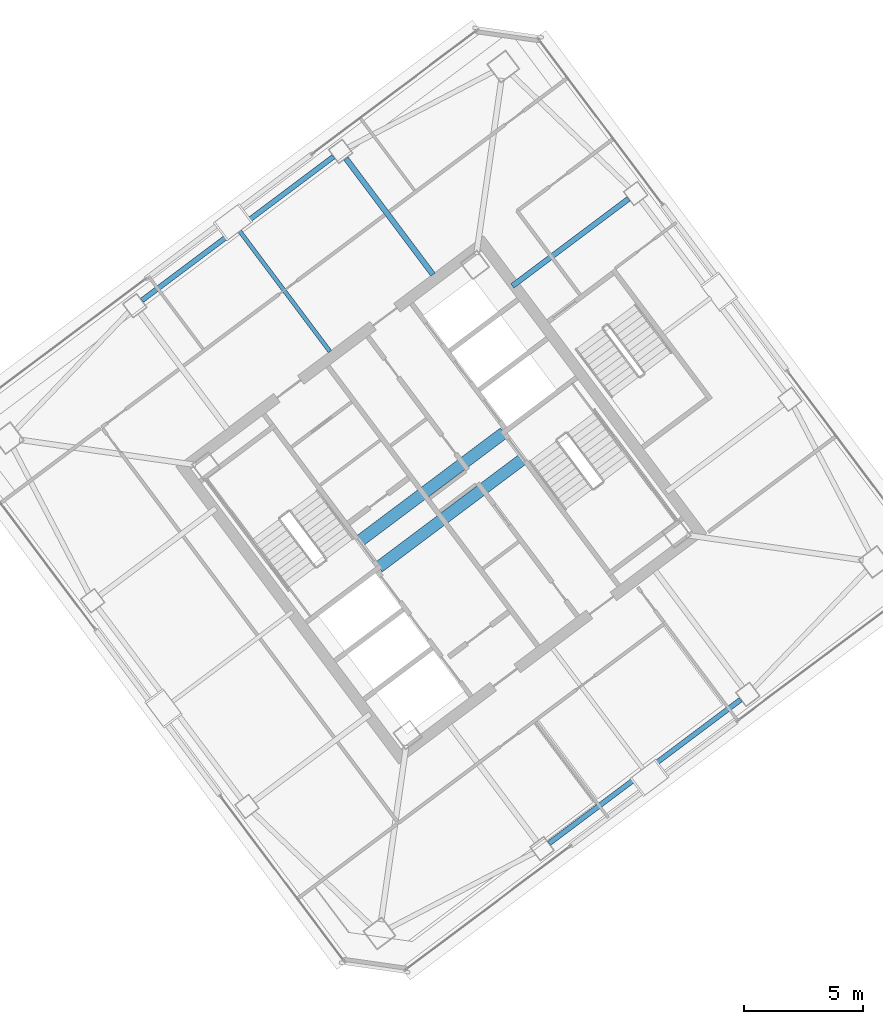
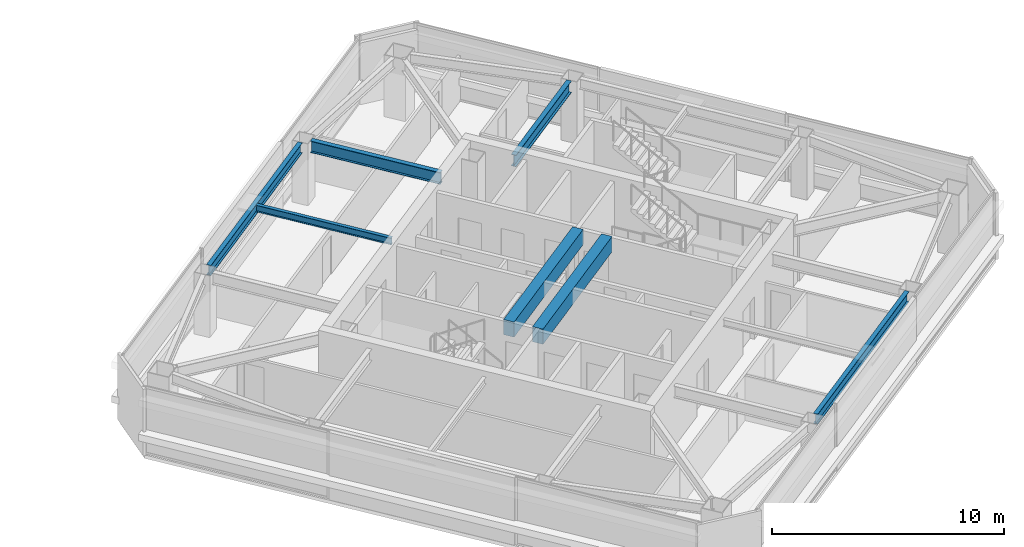
# One storey, part 22 of 39: 7 beams.
"""IFC4 building model written with IfcOpenShell, lengths in metres."""

from ifc_helpers import new_model, si_unit, direction, frame, origin, origin_2d, place, context, subcontext, project, spatial, rectangle, i_section, extrude, material, material_profile, profile_set, type_object, element, save


model = new_model("IFC4")

# Units and contexts
model_context = context("Model", 3, precision=1e-05, world=origin(), true_north=direction((0.0, 1.0)))
body_context = subcontext(model_context, "Body", "Model", "MODEL_VIEW")
ifc_project = project(units=[si_unit("LENGTHUNIT", "METRE"), si_unit("AREAUNIT", "SQUARE_METRE"), si_unit("VOLUMEUNIT", "CUBIC_METRE"), si_unit("PLANEANGLEUNIT", "RADIAN"), si_unit("MASSUNIT", "GRAM", prefix="KILO")], contexts=[model_context])

# Site, building, storey
site_placement = place(None, origin())
site = spatial("IfcSite", under=ifc_project, at=site_placement, CompositionType="ELEMENT")
building_placement = place(site_placement, origin())
building = spatial("IfcBuilding", under=site, at=building_placement, Name="Tashvorn Skyway Center", CompositionType="ELEMENT")
storey_placement = place(building_placement, frame((0.0, 0.0, 243.25)))
storey = spatial("IfcBuildingStorey", under=building, at=storey_placement, Name="L66", CompositionType="ELEMENT", Elevation=243.25)

# Beams
ifc_material_1 = material(Name="Steel ASTM A992 Grade 50", Category="steel")
ifc_material_profile_1 = material_profile(ifc_material_1, i_section(OverallWidth=0.22998046875, OverallDepth=0.616943359375, WebThickness=0.01318359375, FlangeThickness=0.022216796875, at=origin_2d()), Name="W24X94")
ifc_profile_set_1 = profile_set([ifc_material_profile_1], Name="Steel ASTM A992 Grade 50")
beam_type_1 = type_object("IfcBeamType", Name="BM-BEAM-W24X94", PredefinedType="BEAM", material=ifc_profile_set_1)
for number, where, z_axis, x_axis, name in (
    (1, (121.864013671875, 44.64794921875, 2.94140625), (-0.800014407953, -0.599980788915, 0.0), (0.599980788915, -0.800014407953, 0.0), "Tower 2 L66 Primary Floor Girder FC-E2"),
    (2, (109.991943359375, 46.343994140625, 2.94140625), (0.600025614447, -0.799980788524, 0.0), (0.799980788524, 0.600025614447, 0.0), "Tower 2 L66 Primary Floor Girder FC-N1"),
):
    element("IfcBeam", number, at=place(storey_placement, frame(where, z_axis=z_axis, x_axis=x_axis)), inside=storey, type_object=beam_type_1, Name=name, PredefinedType="BEAM", context=body_context, shape_type="SweptSolid", body=[
        extrude(i_section(OverallWidth=0.22998046875, OverallDepth=0.616943359375, WebThickness=0.01318359375, FlangeThickness=0.022216796875, at=origin_2d()), origin(), (0.0, 0.0, 1.0), 6.10009765625),
    ])
ifc_material_profile_2 = material_profile(ifc_material_1, i_section(OverallWidth=0.1708984375, OverallDepth=0.35498046875, WebThickness=0.007080078125, FlangeThickness=0.01171875, at=origin_2d()), Name="W14X34")
ifc_profile_set_2 = profile_set([ifc_material_profile_2], Name="Steel ASTM A992 Grade 50")
beam_type_2 = type_object("IfcBeamType", Name="BM-JOIST-W14X34", PredefinedType="JOIST", material=ifc_profile_set_2)
beam_placement = place(storey_placement, frame((109.325927734375, 38.23193359375, 3.072509765625), z_axis=(-0.599981581373, 0.800013813639, 0.0), x_axis=(-0.800013813639, -0.599981581373, 0.0)))
element("IfcBeam", 3, at=beam_placement, inside=storey, type_object=beam_type_2, Name="Tower 2 L66 Secondary Composite Joist JN", PredefinedType="JOIST", context=body_context, shape_type="SweptSolid", body=[
    extrude(i_section(OverallWidth=0.1708984375, OverallDepth=0.35498046875, WebThickness=0.007080078125, FlangeThickness=0.01171875, at=origin_2d()), origin(), (0.0, 0.0, 1.0), 6.362548828125),
])
ifc_material_2 = material(Name="Concrete C50/60", Category="concrete")
ifc_material_profile_3 = material_profile(ifc_material_2, rectangle(XDim=0.5, YDim=0.800048828125, at=origin_2d()), Name="RCB500x800")
ifc_profile_set_3 = profile_set([ifc_material_profile_3], Name="Concrete C50/60")
beam_type_3 = type_object("IfcBeamType", Name="BM-LINTEL-RCB500x800", PredefinedType="LINTEL", material=ifc_profile_set_3)
for number, where, z_axis, x_axis, name in (
    (4, (110.552001953125, 30.263916015625, 2.85009765625), (0.8, 0.6, 0.0), (-0.6, 0.8, 0.0), "Tower 2 L66 Core Coupling Beam CN"),
    (5, (111.367919921875, 29.176025390625, 2.85009765625), (0.8, 0.6, 0.0), (-0.6, 0.8, 0.0), "Tower 2 L66 Core Coupling Beam CS"),
):
    element("IfcBeam", number, at=place(storey_placement, frame(where, z_axis=z_axis, x_axis=x_axis)), inside=storey, type_object=beam_type_3, Name=name, PredefinedType="LINTEL", context=body_context, shape_type="SweptSolid", body=[
        extrude(rectangle(XDim=0.5, YDim=0.800048828125, at=origin_2d()), origin(), (0.0, 0.0, 1.0), 7.60009765625),
    ])
ifc_material_profile_4 = material_profile(ifc_material_1, i_section(OverallWidth=0.2109375, OverallDepth=0.5390625, WebThickness=0.01171875, FlangeThickness=0.018798828125, at=origin_2d()), Name="W21X73")
ifc_profile_set_4 = profile_set([ifc_material_profile_4], Name="Steel ASTM A992 Grade 50")
beam_type_4 = type_object("IfcBeamType", Name="BM-SPANDREL-W21X73", PredefinedType="SPANDREL", material=ifc_profile_set_4)
for number, where, z_axis, x_axis, name in (
    (6, (118.52587890625, 17.58203125, 2.98046875), (0.800008736549, 0.599988351091, 0.0), (-0.599988351091, 0.800008736549, 0.0), "Tower 2 L66 Spandrel Beam 02"),
    (7, (109.47412109375, 46.41796875, 2.98046875), (-0.800008736549, -0.599988351091, 0.0), (0.599988351091, -0.800008736549, 0.0), "Tower 2 L66 Spandrel Beam 08"),
):
    element("IfcBeam", number, at=place(storey_placement, frame(where, z_axis=z_axis, x_axis=x_axis)), inside=storey, type_object=beam_type_4, Name=name, PredefinedType="SPANDREL", context=body_context, shape_type="SweptSolid", body=[
        extrude(i_section(OverallWidth=0.2109375, OverallDepth=0.5390625, WebThickness=0.01171875, FlangeThickness=0.018798828125, at=origin_2d()), origin(), (0.0, 0.0, 1.0), 10.06005859375),
    ])

save(model, "model.ifc")
